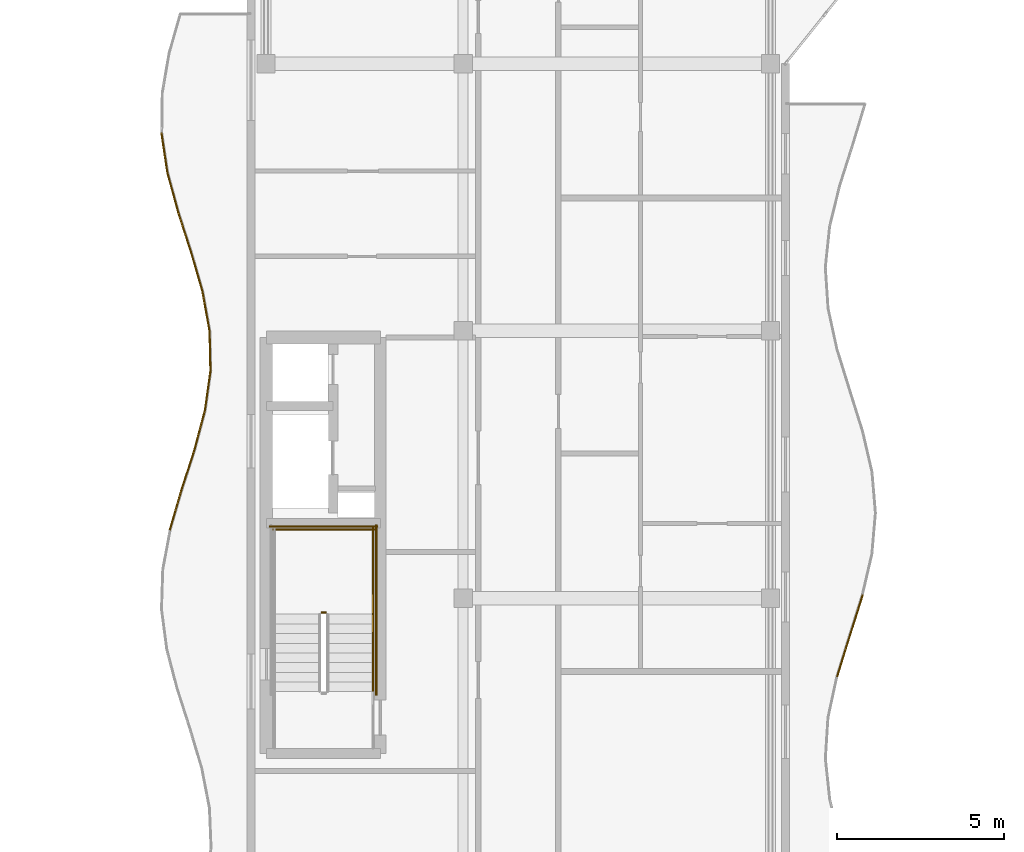
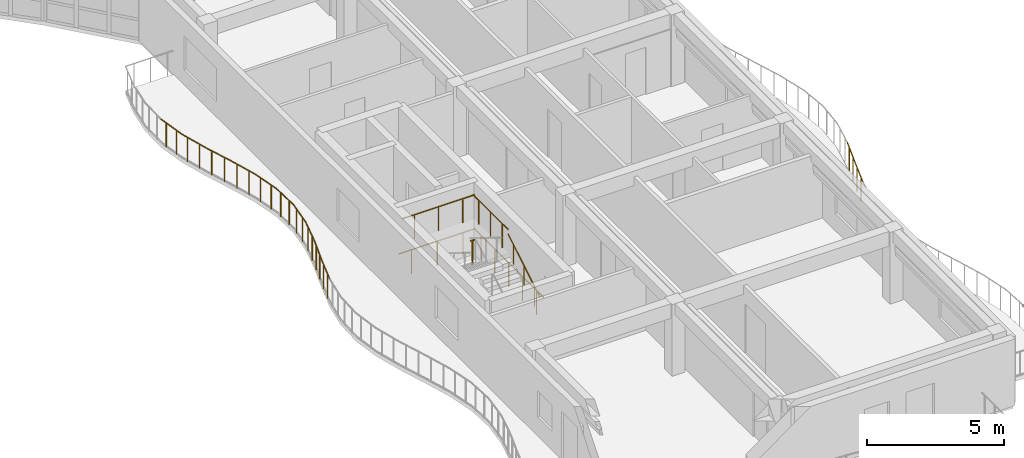
# One storey, part 56 of 68: 18 railings.
"""IFC4 building model written with IfcOpenShell, lengths in metres."""

from ifc_helpers import new_model, si_unit, direction, frame, origin, origin_2d, place, context, subcontext, project, spatial, circle, extrude, material, type_object, element, save


model = new_model("IFC4")

# Units and contexts
model_context = context("Model", 3, precision=1e-05, world=origin(), true_north=direction((0.0, 1.0)))
body_context = subcontext(model_context, "Body", "Model", "MODEL_VIEW")
ifc_project = project(units=[si_unit("LENGTHUNIT", "METRE"), si_unit("AREAUNIT", "SQUARE_METRE"), si_unit("VOLUMEUNIT", "CUBIC_METRE"), si_unit("PLANEANGLEUNIT", "RADIAN"), si_unit("MASSUNIT", "GRAM", prefix="KILO")], contexts=[model_context])

# Site, building, storey
site_placement = place(None, origin())
site = spatial("IfcSite", under=ifc_project, at=site_placement, CompositionType="ELEMENT")
building_placement = place(site_placement, origin())
building = spatial("IfcBuilding", under=site, at=building_placement, Name="Keldmere Railside Commons", CompositionType="ELEMENT")
storey_placement = place(building_placement, frame((0.0, 0.0, 23.360107421875)))
storey = spatial("IfcBuildingStorey", under=building, at=storey_placement, Name="L07", CompositionType="ELEMENT", Elevation=23.360107421875)

# Railings
ifc_material = material(Name="Steel F-24 (S235)", Category="steel")
railing_type_1 = type_object("IfcRailingType", Name="Balcony & Terrace Steel Balustrade 1100", PredefinedType="BALUSTRADE", material=ifc_material)
railing_1_placement = place(storey_placement, frame((121.54443359375, 69.64990234375, 0.0)))
element("IfcRailing", 1, at=railing_1_placement, inside=storey, type_object=railing_type_1, Name="GR-1 GRD-L07-2678", PredefinedType="BALUSTRADE", context=body_context, shape_type="SweptSolid", body=[
    extrude(circle(Radius=0.02392578125, at=origin_2d()), frame((0.0, 0.0, 1.076171875), z_axis=(0.294781602885, 0.955564653281, 0.0), x_axis=(-0.955564653281, 0.294781602885, 0.0)), (0.0, 0.0, 1.0), 1.281982421875),
    extrude(circle(Radius=0.02099609375, at=origin_2d()), frame((0.094482421875, 0.30615234375, 0.0)), (0.0, 0.0, 1.0), 1.048095703125),
    extrude(circle(Radius=0.02099609375, at=origin_2d()), frame((0.283447265625, 0.9189453125, 0.0)), (0.0, 0.0, 1.0), 1.048095703125),
])
railing_2_placement = place(storey_placement, frame((121.92236328125, 70.875, 0.0)))
element("IfcRailing", 2, at=railing_2_placement, inside=storey, type_object=railing_type_1, Name="GR-1 GRD-L07-2679", PredefinedType="BALUSTRADE", context=body_context, shape_type="SweptSolid", body=[
    extrude(circle(Radius=0.02392578125, at=origin_2d()), frame((0.0, 0.0, 1.076171875), z_axis=(0.300330711888, 0.953835134338, 0.0), x_axis=(-0.953835134338, 0.300330711888, 0.0)), (0.0, 0.0, 1.0), 1.284423828125),
    extrude(circle(Radius=0.02099609375, at=origin_2d()), frame((0.096435546875, 0.30615234375, 0.0)), (0.0, 0.0, 1.0), 1.048095703125),
    extrude(circle(Radius=0.02099609375, at=origin_2d()), frame((0.289306640625, 0.9189453125, 0.0)), (0.0, 0.0, 1.0), 1.048095703125),
])
railing_3_placement = place(storey_placement, frame((101.5693359375, 74.04443359375, 0.0)))
element("IfcRailing", 3, at=railing_3_placement, inside=storey, type_object=railing_type_1, Name="GR-1 GRD-L07-2708", PredefinedType="BALUSTRADE", context=body_context, shape_type="SweptSolid", body=[
    extrude(circle(Radius=0.02392578125, at=origin_2d()), frame((0.0, 0.0, 1.076171875), z_axis=(0.281558230153, 0.959544143348, 0.0), x_axis=(-0.959544143348, 0.281558230153, 0.0)), (0.0, 0.0, 1.0), 1.239013671875),
    extrude(circle(Radius=0.02099609375, at=origin_2d()), frame((0.087158203125, 0.29736328125, 0.0)), (0.0, 0.0, 1.0), 1.048095703125),
    extrude(circle(Radius=0.02099609375, at=origin_2d()), frame((0.26171875, 0.8916015625, 0.0)), (0.0, 0.0, 1.0), 1.048095703125),
])
railing_4_placement = place(storey_placement, frame((101.918212890625, 75.2333984375, 0.0)))
element("IfcRailing", 4, at=railing_4_placement, inside=storey, type_object=railing_type_1, Name="GR-1 GRD-L07-2709", PredefinedType="BALUSTRADE", context=body_context, shape_type="SweptSolid", body=[
    extrude(circle(Radius=0.02392578125, at=origin_2d()), frame((0.0, 0.0, 1.076171875), z_axis=(0.306888553717, 0.951745457356, 0.0), x_axis=(-0.951745457356, 0.306888553717, 0.0)), (0.0, 0.0, 1.0), 1.2490234375),
    extrude(circle(Radius=0.02099609375, at=origin_2d()), frame((0.095703125, 0.297119140625, 0.0)), (0.0, 0.0, 1.0), 1.048095703125),
    extrude(circle(Radius=0.02099609375, at=origin_2d()), frame((0.28759765625, 0.8916015625, 0.0)), (0.0, 0.0, 1.0), 1.048095703125),
])
railing_5_placement = place(storey_placement, frame((102.301513671875, 76.422119140625, 0.0)))
element("IfcRailing", 5, at=railing_5_placement, inside=storey, type_object=railing_type_1, Name="GR-1 GRD-L07-2710", PredefinedType="BALUSTRADE", context=body_context, shape_type="SweptSolid", body=[
    extrude(circle(Radius=0.02392578125, at=origin_2d()), frame((0.0, 0.0, 1.076171875), z_axis=(0.257909603143, 0.966169051774, 0.0), x_axis=(-0.966169051774, 0.257909603143, 0.0)), (0.0, 0.0, 1.0), 1.230712890625),
    extrude(circle(Radius=0.02099609375, at=origin_2d()), frame((0.079345703125, 0.29736328125, 0.0)), (0.0, 0.0, 1.0), 1.048095703125),
    extrude(circle(Radius=0.02099609375, at=origin_2d()), frame((0.238037109375, 0.8916015625, 0.0)), (0.0, 0.0, 1.0), 1.048095703125),
])
railing_6_placement = place(storey_placement, frame((102.618896484375, 77.611083984375, 0.0)))
element("IfcRailing", 6, at=railing_6_placement, inside=storey, type_object=railing_type_1, Name="GR-1 GRD-L07-2711", PredefinedType="BALUSTRADE", context=body_context, shape_type="SweptSolid", body=[
    extrude(circle(Radius=0.02392578125, at=origin_2d()), frame((0.0, 0.0, 1.076171875), z_axis=(0.139485370531, 0.990224131905, 0.0), x_axis=(-0.990224131905, 0.139485370531, 0.0)), (0.0, 0.0, 1.0), 1.20068359375),
    extrude(circle(Radius=0.02099609375, at=origin_2d()), frame((0.0419921875, 0.29736328125, 0.0)), (0.0, 0.0, 1.0), 1.048095703125),
    extrude(circle(Radius=0.02099609375, at=origin_2d()), frame((0.12548828125, 0.8916015625, 0.0)), (0.0, 0.0, 1.0), 1.048095703125),
])
railing_7_placement = place(storey_placement, frame((102.786376953125, 78.800048828125, 0.0)))
element("IfcRailing", 7, at=railing_7_placement, inside=storey, type_object=railing_type_1, Name="GR-1 GRD-L07-2712", PredefinedType="BALUSTRADE", context=body_context, shape_type="SweptSolid", body=[
    extrude(circle(Radius=0.02392578125, at=origin_2d()), frame((0.0, 0.0, 1.076171875), z_axis=(-0.022171140149, 0.999754190061, 0.0), x_axis=(-0.999754190061, -0.022171140149, 0.0)), (0.0, 0.0, 1.0), 1.189208984375),
    extrude(circle(Radius=0.02099609375, at=origin_2d()), frame((-0.006591796875, 0.29736328125, 0.0)), (0.0, 0.0, 1.0), 1.048095703125),
    extrude(circle(Radius=0.02099609375, at=origin_2d()), frame((-0.019775390625, 0.8916015625, 0.0)), (0.0, 0.0, 1.0), 1.048095703125),
])
railing_8_placement = place(storey_placement, frame((102.760009765625, 79.989013671875, 0.0)))
element("IfcRailing", 8, at=railing_8_placement, inside=storey, type_object=railing_type_1, Name="GR-1 GRD-L07-2713", PredefinedType="BALUSTRADE", context=body_context, shape_type="SweptSolid", body=[
    extrude(circle(Radius=0.02392578125, at=origin_2d()), frame((0.0, 0.0, 1.076171875), z_axis=(-0.176287405888, 0.984338737694, 0.0), x_axis=(-0.984338737694, -0.176287405888, 0.0)), (0.0, 0.0, 1.0), 1.20751953125),
    extrude(circle(Radius=0.02099609375, at=origin_2d()), frame((-0.05322265625, 0.297119140625, 0.0)), (0.0, 0.0, 1.0), 1.048095703125),
    extrude(circle(Radius=0.02099609375, at=origin_2d()), frame((-0.15966796875, 0.8916015625, 0.0)), (0.0, 0.0, 1.0), 1.048095703125),
])
railing_9_placement = place(storey_placement, frame((102.547119140625, 81.177734375, 0.0)))
element("IfcRailing", 9, at=railing_9_placement, inside=storey, type_object=railing_type_1, Name="GR-1 GRD-L07-2714", PredefinedType="BALUSTRADE", context=body_context, shape_type="SweptSolid", body=[
    extrude(circle(Radius=0.02392578125, at=origin_2d()), frame((0.0, 0.0, 1.076171875), z_axis=(-0.277923969657, 0.960603074683, 0.0), x_axis=(-0.960603074683, -0.277923969657, 0.0)), (0.0, 0.0, 1.0), 1.23779296875),
    extrude(circle(Radius=0.02099609375, at=origin_2d()), frame((-0.0859375, 0.29736328125, 0.0)), (0.0, 0.0, 1.0), 1.048095703125),
    extrude(circle(Radius=0.02099609375, at=origin_2d()), frame((-0.258056640625, 0.8916015625, 0.0)), (0.0, 0.0, 1.0), 1.048095703125),
])
railing_10_placement = place(storey_placement, frame((102.203125, 82.36669921875, 0.0)))
element("IfcRailing", 10, at=railing_10_placement, inside=storey, type_object=railing_type_1, Name="GR-1 GRD-L07-2715", PredefinedType="BALUSTRADE", context=body_context, shape_type="SweptSolid", body=[
    extrude(circle(Radius=0.02392578125, at=origin_2d()), frame((0.0, 0.0, 1.076171875), z_axis=(-0.307362431896, 0.951592525958, 0.0), x_axis=(-0.951592525958, -0.307362431896, 0.0)), (0.0, 0.0, 1.0), 1.24951171875),
    extrude(circle(Radius=0.02099609375, at=origin_2d()), frame((-0.095947265625, 0.29736328125, 0.0)), (0.0, 0.0, 1.0), 1.048095703125),
    extrude(circle(Radius=0.02099609375, at=origin_2d()), frame((-0.2880859375, 0.8916015625, 0.0)), (0.0, 0.0, 1.0), 1.048095703125),
])
railing_11_placement = place(storey_placement, frame((101.819091796875, 83.5556640625, 0.0)))
element("IfcRailing", 11, at=railing_11_placement, inside=storey, type_object=railing_type_1, Name="GR-1 GRD-L07-2716", PredefinedType="BALUSTRADE", context=body_context, shape_type="SweptSolid", body=[
    extrude(circle(Radius=0.02392578125, at=origin_2d()), frame((0.0, 0.0, 1.076171875), z_axis=(-0.262580770429, 0.964910016012, 0.0), x_axis=(-0.964910016012, -0.262580770429, 0.0)), (0.0, 0.0, 1.0), 1.23193359375),
    extrude(circle(Radius=0.02099609375, at=origin_2d()), frame((-0.080810546875, 0.297119140625, 0.0)), (0.0, 0.0, 1.0), 1.048095703125),
    extrude(circle(Radius=0.02099609375, at=origin_2d()), frame((-0.24267578125, 0.8916015625, 0.0)), (0.0, 0.0, 1.0), 1.048095703125),
])
railing_12_placement = place(storey_placement, frame((101.49560546875, 84.744384765625, 0.0)))
element("IfcRailing", 12, at=railing_12_placement, inside=storey, type_object=railing_type_1, Name="GR-1 GRD-L07-2717", PredefinedType="BALUSTRADE", context=body_context, shape_type="SweptSolid", body=[
    extrude(circle(Radius=0.02392578125, at=origin_2d()), frame((0.0, 0.0, 1.076171875), z_axis=(-0.14764524825, 0.98904038374, 0.0), x_axis=(-0.98904038374, -0.14764524825, 0.0)), (0.0, 0.0, 1.0), 1.2021484375),
    extrude(circle(Radius=0.02099609375, at=origin_2d()), frame((-0.04443359375, 0.29736328125, 0.0)), (0.0, 0.0, 1.0), 1.048095703125),
    extrude(circle(Radius=0.02099609375, at=origin_2d()), frame((-0.133056640625, 0.8916015625, 0.0)), (0.0, 0.0, 1.0), 1.048095703125),
])
railing_type_2 = type_object("IfcRailingType", Name="Stair Well Steel Guardrail 1100", PredefinedType="BALUSTRADE", material=ifc_material)
railing_13_placement = place(storey_placement, frame((106.25, 71.570068359375, 1.599853515625)))
element("IfcRailing", 13, at=railing_13_placement, inside=storey, type_object=railing_type_2, Name="L07 ST-B1 stair guard 2", PredefinedType="BALUSTRADE", context=body_context, shape_type="SweptSolid", body=[
    extrude(circle(Radius=0.02392578125, at=origin_2d()), frame((0.0, 0.0, 1.076171875), z_axis=(-1.0, 0.0, 0.0), x_axis=(0.0, -1.0, 0.0)), (0.0, 0.0, 1.0), 0.14990234375),
    extrude(circle(Radius=0.02099609375, at=origin_2d()), frame((-0.074951171875, 0.0, 0.0)), (0.0, 0.0, 1.0), 1.048095703125),
])
railing_14_placement = place(storey_placement, frame((107.64990234375, 71.52001953125, 1.599853515625)))
element("IfcRailing", 14, at=railing_14_placement, inside=storey, type_object=railing_type_2, Name="L07 ST-B1 stair guard 3", PredefinedType="BALUSTRADE", context=body_context, shape_type="SweptSolid", body=[
    extrude(circle(Radius=0.02392578125, at=origin_2d()), frame((0.0, 0.0, 1.076171875), z_axis=(0.0, 1.0, 0.0), x_axis=(-1.0, 0.0, 0.0)), (0.0, 0.0, 1.0), 2.580078125),
    extrude(circle(Radius=0.02099609375, at=origin_2d()), frame((0.0, 0.429931640625, 0.0)), (0.0, 0.0, 1.0), 1.048095703125),
    extrude(circle(Radius=0.02099609375, at=origin_2d()), frame((0.0, 1.2900390625, 0.0)), (0.0, 0.0, 1.0), 1.048095703125),
    extrude(circle(Radius=0.02099609375, at=origin_2d()), frame((0.0, 2.150146484375, 0.0)), (0.0, 0.0, 1.0), 1.048095703125),
])
railing_15_placement = place(storey_placement, frame((107.699951171875, 74.050048828125, 1.599853515625)))
element("IfcRailing", 15, at=railing_15_placement, inside=storey, type_object=railing_type_2, Name="L07 ST-B1 stair guard 5", PredefinedType="BALUSTRADE", context=body_context, shape_type="SweptSolid", body=[
    extrude(circle(Radius=0.02392578125, at=origin_2d()), frame((0.0, 0.0, 1.076171875), z_axis=(-1.0, 0.0, 0.0), x_axis=(0.0, -1.0, 0.0)), (0.0, 0.0, 1.0), 3.050048828125),
    extrude(circle(Radius=0.02099609375, at=origin_2d()), frame((-0.50830078125, 0.0, 0.0)), (0.0, 0.0, 1.0), 1.048095703125),
    extrude(circle(Radius=0.02099609375, at=origin_2d()), frame((-1.52490234375, 0.0, 0.0)), (0.0, 0.0, 1.0), 1.048095703125),
    extrude(circle(Radius=0.02099609375, at=origin_2d()), frame((-2.541748046875, 0.0, 0.0)), (0.0, 0.0, 1.0), 1.048095703125),
])
railing_16_placement = place(storey_placement, frame((107.75, 69.10009765625, 0.0)))
element("IfcRailing", 16, at=railing_16_placement, inside=storey, type_object=railing_type_2, Name="L07 ST-B1 stair guard 10", PredefinedType="BALUSTRADE", context=body_context, shape_type="SweptSolid", body=[
    extrude(circle(Radius=0.02392578125, at=origin_2d()), frame((0.0, 0.0, 1.076171875), z_axis=(0.0, 1.0, 0.0), x_axis=(-1.0, 0.0, 0.0)), (0.0, 0.0, 1.0), 5.099853515625),
    extrude(circle(Radius=0.02099609375, at=origin_2d()), frame((0.0, 0.510009765625, 0.0)), (0.0, 0.0, 1.0), 1.048095703125),
    extrude(circle(Radius=0.02099609375, at=origin_2d()), frame((0.0, 1.530029296875, 0.0)), (0.0, 0.0, 1.0), 1.048095703125),
    extrude(circle(Radius=0.02099609375, at=origin_2d()), frame((0.0, 2.5498046875, 0.0)), (0.0, 0.0, 1.0), 1.048095703125),
    extrude(circle(Radius=0.02099609375, at=origin_2d()), frame((0.0, 3.56982421875, 0.0)), (0.0, 0.0, 1.0), 1.048095703125),
    extrude(circle(Radius=0.02099609375, at=origin_2d()), frame((0.0, 4.58984375, 0.0)), (0.0, 0.0, 1.0), 1.048095703125),
])
railing_17_placement = place(storey_placement, frame((107.800048828125, 74.14990234375, 0.0)))
element("IfcRailing", 17, at=railing_17_placement, inside=storey, type_object=railing_type_2, Name="L07 ST-B1 stair guard 12", PredefinedType="BALUSTRADE", context=body_context, shape_type="SweptSolid", body=[
    extrude(circle(Radius=0.02392578125, at=origin_2d()), frame((0.0, 0.0, 1.076171875), z_axis=(-1.0, 0.0, 0.0), x_axis=(0.0, -1.0, 0.0)), (0.0, 0.0, 1.0), 3.25),
    extrude(circle(Radius=0.02099609375, at=origin_2d()), frame((-0.541748046875, 0.0, 0.0)), (0.0, 0.0, 1.0), 1.048095703125),
    extrude(circle(Radius=0.02099609375, at=origin_2d()), frame((-1.625, 0.0, 0.0)), (0.0, 0.0, 1.0), 1.048095703125),
    extrude(circle(Radius=0.02099609375, at=origin_2d()), frame((-2.708251953125, 0.0, 0.0)), (0.0, 0.0, 1.0), 1.048095703125),
])
railing_type_3 = type_object("IfcRailingType", Name="Wall-Mounted Tubular Steel Handrail 900", PredefinedType="HANDRAIL", material=ifc_material)
railing_18_placement = place(storey_placement, frame((107.64990234375, 69.199951171875, 0.177734375)))
element("IfcRailing", 18, at=railing_18_placement, inside=storey, type_object=railing_type_3, Name="L07 ST-B1 stair handrail 1", PredefinedType="HANDRAIL", context=body_context, shape_type="SweptSolid", body=[
    extrude(circle(Radius=0.02392578125, at=origin_2d()), frame((0.0, 0.0, 0.8759765625), z_axis=(0.0, 0.852578041948, 0.522599925744), x_axis=(-1.0, 0.0, 0.0)), (0.0, 0.0, 1.0), 2.72119140625),
    extrude(circle(Radius=0.02099609375, at=origin_2d()), frame((0.0, 0.38671875, 0.237060546875)), (0.0, 0.0, 1.0), 0.847900390625),
    extrude(circle(Radius=0.02099609375, at=origin_2d()), frame((0.0, 1.16015625, 0.7109375)), (0.0, 0.0, 1.0), 0.847900390625),
    extrude(circle(Radius=0.02099609375, at=origin_2d()), frame((0.0, 1.933349609375, 1.18505859375)), (0.0, 0.0, 1.0), 0.847900390625),
])

save(model, "model.ifc")
